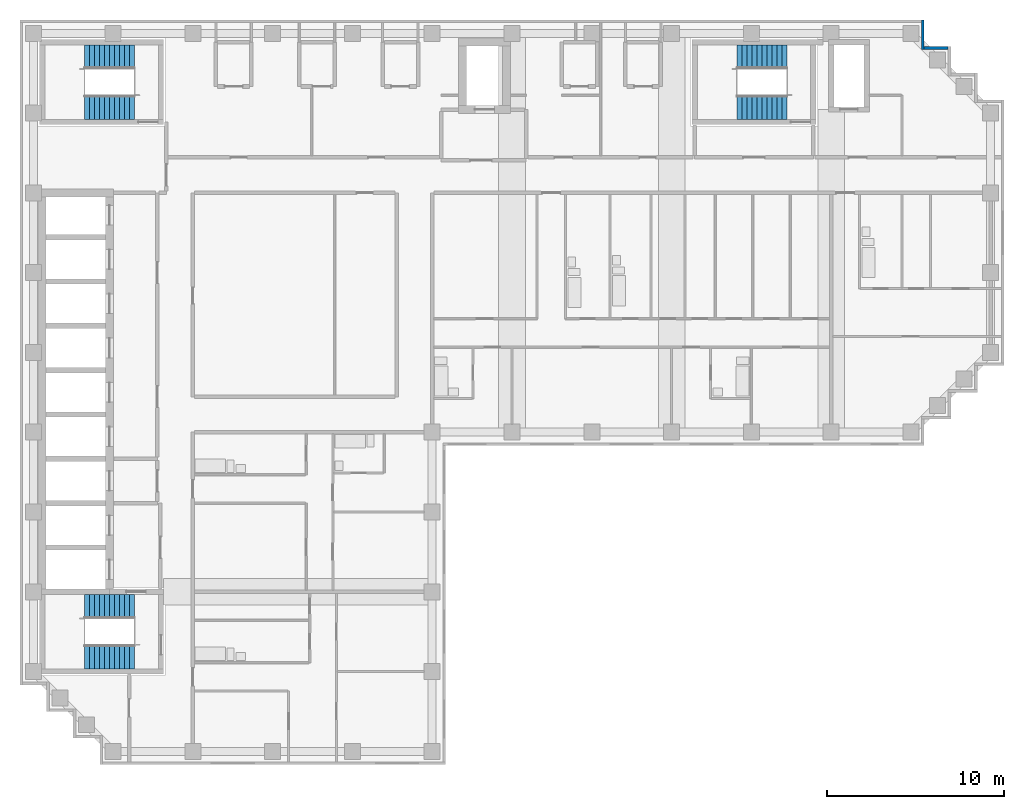
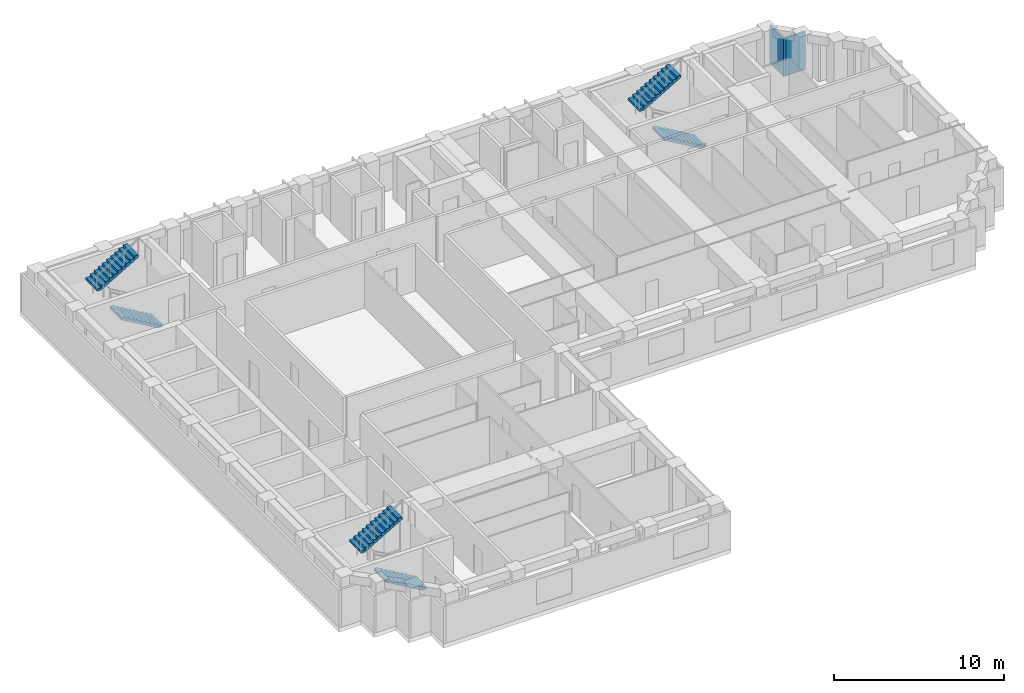
# One storey, part 7 of 9: 6 stair flights, 2 walls, 3 elements without a shape of their own.
"""IFC4 building model written with IfcOpenShell, lengths in metres."""

from ifc_helpers import new_model, si_unit, direction, frame, frame_2d, origin, place, context, subcontext, project, spatial, polyline, rectangle, outline, extrude, material, layer, layer_set, type_object, element, aggregate, save


model = new_model("IFC4")

# Units and contexts
model_context = context("Model", 3, precision=1e-05, world=origin(), true_north=direction((0.0, 1.0)))
body_context = subcontext(model_context, "Body", "Model", "MODEL_VIEW")
ifc_project = project(units=[si_unit("LENGTHUNIT", "METRE"), si_unit("AREAUNIT", "SQUARE_METRE"), si_unit("VOLUMEUNIT", "CUBIC_METRE"), si_unit("PLANEANGLEUNIT", "RADIAN"), si_unit("MASSUNIT", "GRAM", prefix="KILO")], contexts=[model_context])

# Site, building, storey
site_placement = place(None, origin())
site = spatial("IfcSite", under=ifc_project, at=site_placement, CompositionType="ELEMENT")
building_placement = place(site_placement, origin())
building = spatial("IfcBuilding", under=site, at=building_placement, Name="Firuza Court", CompositionType="ELEMENT")
storey_placement = place(building_placement, frame((0.0, 0.0, 225.800048828125)))
storey = spatial("IfcBuildingStorey", under=building, at=storey_placement, Name="L58", CompositionType="ELEMENT", Elevation=225.800048828125)

# Walls
ifc_material_1 = material(Name="Ceramic tile", Category="ceramic")
ifc_layer_1 = layer(ifc_material_1, 0.02001953125)
ifc_material_2 = material(Name="Mineral wool insulation", Category="insulation")
ifc_layer_2 = layer(ifc_material_2, 0.050048828125)
ifc_material_3 = material(Name="Concrete C40/50 precast", Category="concrete")
ifc_layer_3 = layer(ifc_material_3, 0.080078125)
ifc_layer_set = layer_set([ifc_layer_1, ifc_layer_2, ifc_layer_3], Name="Concrete C40/50 precast")
wall_type = type_object("IfcWallType", Name="Precast cladding wall with turquoise TILE PANEL face 150", PredefinedType="STANDARD", material=ifc_layer_set)
wall_1_placement = place(storey_placement, frame((51.60009765625, 57.675048828125, 0.0), z_axis=(0.0, 0.0, 1.0), x_axis=(-1.0, 0.0, 0.0)))
element("IfcWall", 1, at=wall_1_placement, inside=storey, type_object=wall_type, Name="Facade wall L58 N", PredefinedType="STANDARD", context=body_context, shape_type="SweptSolid", body=[
    extrude(rectangle(XDim=1.35009765625, YDim=0.14990234375, at=frame_2d((0.675048828125, 0.0))), origin(), (0.0, 0.0, 1.0), 2.699951171875),
])
wall_2_placement = place(storey_placement, frame((50.175048828125, 57.60009765625, 0.0), z_axis=(0.0, 0.0, 1.0), x_axis=(0.0, 1.0, 0.0)))
element("IfcWall", 2, at=wall_2_placement, inside=storey, type_object=wall_type, Name="Facade wall L58 E", PredefinedType="STANDARD", context=body_context, shape_type="SweptSolid", body=[
    extrude(rectangle(XDim=1.64990234375, YDim=0.14990234375, at=frame_2d((0.824951171875, 0.0))), origin(), (0.0, 0.0, 1.0), 2.699951171875),
])

# Stair, stair flights
ifc_material_4 = material(Name="Concrete C40/50 precast", Category="concrete")
stair_type = type_object("IfcStairType", Name="Stair 1350 x 3600 2 flights", PredefinedType="HALF_TURN_STAIR", material=ifc_material_4)
stair_1_placement = place(storey_placement, origin())
stair_1 = element("IfcStair", 3, at=stair_1_placement, inside=storey, type_object=stair_type, Name="Stair 1 L58", PredefinedType="HALF_TURN_STAIR")
ifc_material_5 = material(Name="Concrete C40/50 precast", Category="concrete")
stair_flight_type = type_object("IfcStairFlightType", Name="Flight 1350 riser 163.6", PredefinedType="STRAIGHT", material=ifc_material_5)
stair_flight_1_placement = place(storey_placement, frame((42.5, 54.324951171875, 0.0), z_axis=(0.0, 0.0, 1.0), x_axis=(-1.0, 0.0, 0.0)))
stair_flight_1 = element("IfcStairFlight", 4, at=stair_flight_1_placement, type_object=stair_flight_type, Name="S1 flight 1", NumberOfRisers=11, NumberOfTreads=10, PredefinedType="STRAIGHT", RiserHeight=0.163636364, TreadLength=0.28, context=body_context, shape_type="SweptSolid", body=[
    extrude(outline(polyline([(0.0, 0.0), (0.0, 0.16357421875), (0.280029296875, 0.16357421875), (0.280029296875, 0.327392578125), (0.56005859375, 0.327392578125), (0.56005859375, 0.490966796875), (0.840087890625, 0.490966796875), (0.840087890625, 0.654541015625), (1.1201171875, 0.654541015625), (1.1201171875, 0.818115234375), (1.39990234375, 0.818115234375), (1.39990234375, 0.98193359375), (1.679931640625, 0.98193359375), (1.679931640625, 1.1455078125), (1.9599609375, 1.1455078125), (1.9599609375, 1.30908203125), (2.239990234375, 1.30908203125), (2.239990234375, 1.47265625), (2.52001953125, 1.47265625), (2.52001953125, 1.636474609375), (2.800048828125, 1.636474609375), (2.800048828125, 1.800048828125), (2.800048828125, 1.462646484375), (0.297119140625, 0.0), (0.0, 0.0)])), frame((0.0, 0.675048828125, 0.0), z_axis=(0.0, -1.0, 0.0), x_axis=(1.0, 0.0, 0.0)), (0.0, 0.0, 1.0), 1.35009765625),
])
stair_flight_2_placement = place(storey_placement, frame((39.699951171875, 57.175048828125, 1.800048828125), z_axis=(0.0, 0.0, 1.0), x_axis=(1.0, 0.0, 0.0)))
stair_flight_2 = element("IfcStairFlight", 5, at=stair_flight_2_placement, type_object=stair_flight_type, Name="S1 flight 2", NumberOfRisers=11, NumberOfTreads=10, PredefinedType="STRAIGHT", RiserHeight=0.163636364, TreadLength=0.28, context=body_context, shape_type="SweptSolid", body=[
    extrude(outline(polyline([(0.0, 0.0), (0.0, 0.16357421875), (0.280029296875, 0.16357421875), (0.280029296875, 0.327392578125), (0.56005859375, 0.327392578125), (0.56005859375, 0.490966796875), (0.840087890625, 0.490966796875), (0.840087890625, 0.654541015625), (1.1201171875, 0.654541015625), (1.1201171875, 0.818115234375), (1.39990234375, 0.818115234375), (1.39990234375, 0.98193359375), (1.679931640625, 0.98193359375), (1.679931640625, 1.1455078125), (1.9599609375, 1.1455078125), (1.9599609375, 1.30908203125), (2.239990234375, 1.30908203125), (2.239990234375, 1.47265625), (2.52001953125, 1.47265625), (2.52001953125, 1.636474609375), (2.800048828125, 1.636474609375), (2.800048828125, 1.800048828125), (2.800048828125, 1.462646484375), (0.297119140625, 0.0), (0.0, 0.0)])), frame((0.0, 0.675048828125, 0.0), z_axis=(0.0, -1.0, 0.0), x_axis=(1.0, 0.0, 0.0)), (0.0, 0.0, 1.0), 1.35009765625),
])
aggregate(stair_1, [stair_flight_1, stair_flight_2])

stair_2_placement = place(storey_placement, origin())
stair_2 = element("IfcStair", 6, at=stair_2_placement, inside=storey, type_object=stair_type, Name="Stair 2 L58", PredefinedType="HALF_TURN_STAIR")
stair_flight_3_placement = place(storey_placement, frame((5.699951171875, 23.324951171875, 0.0), z_axis=(0.0, 0.0, 1.0), x_axis=(-1.0, 0.0, 0.0)))
stair_flight_3 = element("IfcStairFlight", 7, at=stair_flight_3_placement, type_object=stair_flight_type, Name="S2 flight 1", NumberOfRisers=11, NumberOfTreads=10, PredefinedType="STRAIGHT", RiserHeight=0.163636364, TreadLength=0.28, context=body_context, shape_type="SweptSolid", body=[
    extrude(outline(polyline([(0.0, 0.0), (0.0, 0.16357421875), (0.280029296875, 0.16357421875), (0.280029296875, 0.327392578125), (0.56005859375, 0.327392578125), (0.56005859375, 0.490966796875), (0.840087890625, 0.490966796875), (0.840087890625, 0.654541015625), (1.1201171875, 0.654541015625), (1.1201171875, 0.818115234375), (1.39990234375, 0.818115234375), (1.39990234375, 0.98193359375), (1.679931640625, 0.98193359375), (1.679931640625, 1.1455078125), (1.9599609375, 1.1455078125), (1.9599609375, 1.30908203125), (2.239990234375, 1.30908203125), (2.239990234375, 1.47265625), (2.52001953125, 1.47265625), (2.52001953125, 1.636474609375), (2.800048828125, 1.636474609375), (2.800048828125, 1.800048828125), (2.800048828125, 1.462646484375), (0.297119140625, 0.0), (0.0, 0.0)])), frame((0.0, 0.675048828125, 0.0), z_axis=(0.0, -1.0, 0.0), x_axis=(1.0, 0.0, 0.0)), (0.0, 0.0, 1.0), 1.35009765625),
])
stair_flight_4_placement = place(storey_placement, frame((2.89990234375, 26.175048828125, 1.800048828125), z_axis=(0.0, 0.0, 1.0), x_axis=(1.0, 0.0, 0.0)))
stair_flight_4 = element("IfcStairFlight", 8, at=stair_flight_4_placement, type_object=stair_flight_type, Name="S2 flight 2", NumberOfRisers=11, NumberOfTreads=10, PredefinedType="STRAIGHT", RiserHeight=0.163636364, TreadLength=0.28, context=body_context, shape_type="SweptSolid", body=[
    extrude(outline(polyline([(0.0, 0.0), (0.0, 0.16357421875), (0.280029296875, 0.16357421875), (0.280029296875, 0.327392578125), (0.56005859375, 0.327392578125), (0.56005859375, 0.490966796875), (0.840087890625, 0.490966796875), (0.840087890625, 0.654541015625), (1.1201171875, 0.654541015625), (1.1201171875, 0.818115234375), (1.39990234375, 0.818115234375), (1.39990234375, 0.98193359375), (1.679931640625, 0.98193359375), (1.679931640625, 1.1455078125), (1.9599609375, 1.1455078125), (1.9599609375, 1.30908203125), (2.239990234375, 1.30908203125), (2.239990234375, 1.47265625), (2.52001953125, 1.47265625), (2.52001953125, 1.636474609375), (2.800048828125, 1.636474609375), (2.800048828125, 1.800048828125), (2.800048828125, 1.462646484375), (0.297119140625, 0.0), (0.0, 0.0)])), frame((0.0, 0.675048828125, 0.0), z_axis=(0.0, -1.0, 0.0), x_axis=(1.0, 0.0, 0.0)), (0.0, 0.0, 1.0), 1.35009765625),
])
aggregate(stair_2, [stair_flight_3, stair_flight_4])

stair_3_placement = place(storey_placement, origin())
stair_3 = element("IfcStair", 9, at=stair_3_placement, inside=storey, type_object=stair_type, Name="Stair 3 L58", PredefinedType="HALF_TURN_STAIR")
stair_flight_5_placement = place(storey_placement, frame((5.699951171875, 54.324951171875, 0.0), z_axis=(0.0, 0.0, 1.0), x_axis=(-1.0, 0.0, 0.0)))
stair_flight_5 = element("IfcStairFlight", 10, at=stair_flight_5_placement, type_object=stair_flight_type, Name="S3 flight 1", NumberOfRisers=11, NumberOfTreads=10, PredefinedType="STRAIGHT", RiserHeight=0.163636364, TreadLength=0.28, context=body_context, shape_type="SweptSolid", body=[
    extrude(outline(polyline([(0.0, 0.0), (0.0, 0.16357421875), (0.280029296875, 0.16357421875), (0.280029296875, 0.327392578125), (0.56005859375, 0.327392578125), (0.56005859375, 0.490966796875), (0.840087890625, 0.490966796875), (0.840087890625, 0.654541015625), (1.1201171875, 0.654541015625), (1.1201171875, 0.818115234375), (1.39990234375, 0.818115234375), (1.39990234375, 0.98193359375), (1.679931640625, 0.98193359375), (1.679931640625, 1.1455078125), (1.9599609375, 1.1455078125), (1.9599609375, 1.30908203125), (2.239990234375, 1.30908203125), (2.239990234375, 1.47265625), (2.52001953125, 1.47265625), (2.52001953125, 1.636474609375), (2.800048828125, 1.636474609375), (2.800048828125, 1.800048828125), (2.800048828125, 1.462646484375), (0.297119140625, 0.0), (0.0, 0.0)])), frame((0.0, 0.675048828125, 0.0), z_axis=(0.0, -1.0, 0.0), x_axis=(1.0, 0.0, 0.0)), (0.0, 0.0, 1.0), 1.35009765625),
])
stair_flight_6_placement = place(storey_placement, frame((2.89990234375, 57.175048828125, 1.800048828125), z_axis=(0.0, 0.0, 1.0), x_axis=(1.0, 0.0, 0.0)))
stair_flight_6 = element("IfcStairFlight", 11, at=stair_flight_6_placement, type_object=stair_flight_type, Name="S3 flight 2", NumberOfRisers=11, NumberOfTreads=10, PredefinedType="STRAIGHT", RiserHeight=0.163636364, TreadLength=0.28, context=body_context, shape_type="SweptSolid", body=[
    extrude(outline(polyline([(0.0, 0.0), (0.0, 0.16357421875), (0.280029296875, 0.16357421875), (0.280029296875, 0.327392578125), (0.56005859375, 0.327392578125), (0.56005859375, 0.490966796875), (0.840087890625, 0.490966796875), (0.840087890625, 0.654541015625), (1.1201171875, 0.654541015625), (1.1201171875, 0.818115234375), (1.39990234375, 0.818115234375), (1.39990234375, 0.98193359375), (1.679931640625, 0.98193359375), (1.679931640625, 1.1455078125), (1.9599609375, 1.1455078125), (1.9599609375, 1.30908203125), (2.239990234375, 1.30908203125), (2.239990234375, 1.47265625), (2.52001953125, 1.47265625), (2.52001953125, 1.636474609375), (2.800048828125, 1.636474609375), (2.800048828125, 1.800048828125), (2.800048828125, 1.462646484375), (0.297119140625, 0.0), (0.0, 0.0)])), frame((0.0, 0.675048828125, 0.0), z_axis=(0.0, -1.0, 0.0), x_axis=(1.0, 0.0, 0.0)), (0.0, 0.0, 1.0), 1.35009765625),
])
aggregate(stair_3, [stair_flight_5, stair_flight_6])

save(model, "model.ifc")
